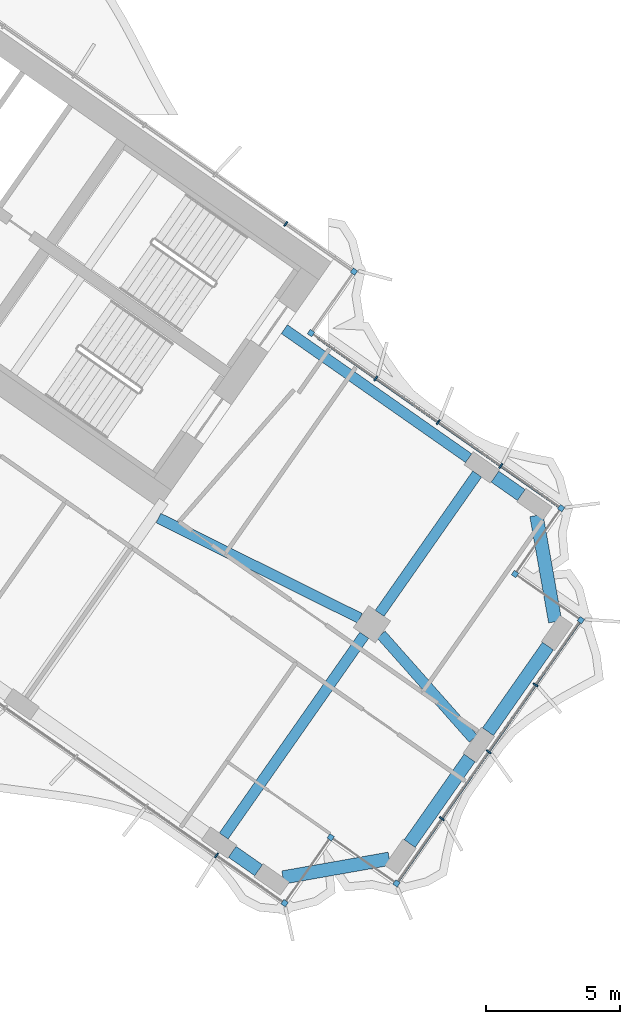
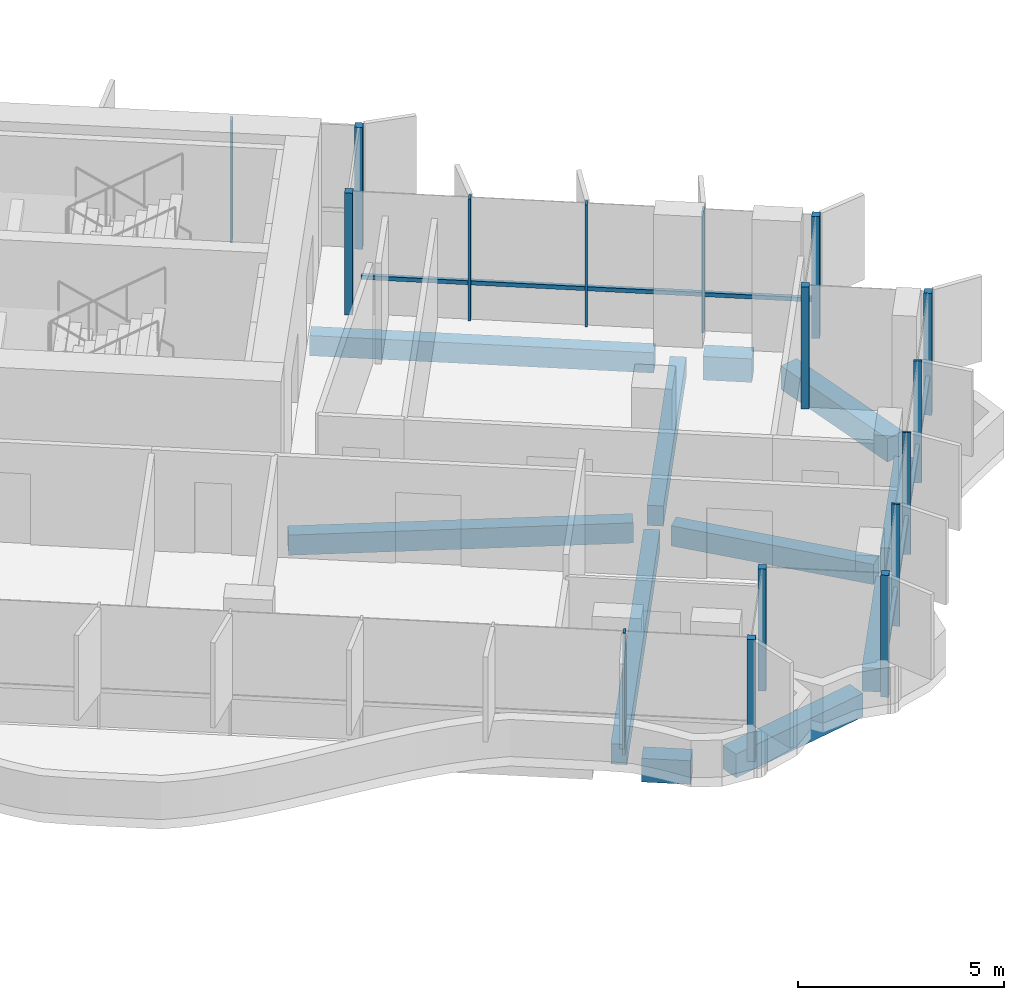
# One storey, part 9 of 21: 18 members, 11 beams, 2 elements without a shape of their own.
"""IFC4 building model written with IfcOpenShell, lengths in metres."""

from ifc_helpers import new_model, si_unit, direction, frame, origin, origin_2d, place, context, subcontext, project, spatial, rectangle, extrude, material, material_profile, profile_set, type_object, element, aggregate, save


model = new_model("IFC4")

# Units and contexts
model_context = context("Model", 3, precision=1e-05, world=origin(), true_north=direction((0.0, 1.0)))
body_context = subcontext(model_context, "Body", "Model", "MODEL_VIEW")
ifc_project = project(units=[si_unit("LENGTHUNIT", "METRE"), si_unit("AREAUNIT", "SQUARE_METRE"), si_unit("VOLUMEUNIT", "CUBIC_METRE"), si_unit("PLANEANGLEUNIT", "RADIAN"), si_unit("MASSUNIT", "GRAM", prefix="KILO")], contexts=[model_context])

# Site, building, storey
site_placement = place(None, origin())
site = spatial("IfcSite", under=ifc_project, at=site_placement, CompositionType="ELEMENT")
building_placement = place(site_placement, origin())
building = spatial("IfcBuilding", under=site, at=building_placement, Name="Tel Ilan Convention Tower", CompositionType="ELEMENT")
storey_placement = place(building_placement, frame((0.0, 0.0, 163.199951171875)))
storey = spatial("IfcBuildingStorey", under=building, at=storey_placement, Name="L37", CompositionType="ELEMENT", Elevation=163.199951171875)

# Beams
ifc_material_1 = material(Name="Concrete C40/50", Category="concrete")
ifc_material_profile_1 = material_profile(ifc_material_1, rectangle(XDim=0.39990234375, YDim=0.60009765625, at=origin_2d()), Name="RC 400x600")
ifc_profile_set_1 = profile_set([ifc_material_profile_1], Name="Concrete C40/50")
beam_type_1 = type_object("IfcBeamType", Name="Beam RC 400x600 Concrete C40/50", PredefinedType="BEAM", material=ifc_profile_set_1)
beam_1_placement = place(storey_placement, frame((33.09912109375, -14.44775390625, -0.579833984375), z_axis=(-0.819147254605, 0.573583276668, 0.0), x_axis=(-0.573583276668, -0.819147254605, 0.0)))
element("IfcBeam", 1, at=beam_1_placement, inside=storey, type_object=beam_type_1, Name="L37 beam E-E-B4-core", PredefinedType="BEAM", context=body_context, shape_type="SweptSolid", body=[
    extrude(rectangle(XDim=0.39990234375, YDim=0.60009765625, at=origin_2d()), origin(), (0.0, 0.0, 1.0), 8.400146484375),
])
beam_2_placement = place(storey_placement, frame((21.52099609375, -16.686279296875, -0.579833984375), z_axis=(0.895402365524, -0.445257907076, 0.0), x_axis=(0.445257907076, 0.895402365524, 0.0)))
element("IfcBeam", 2, at=beam_2_placement, inside=storey, type_object=beam_type_1, Name="L37 beam E-core-E-M4", PredefinedType="BEAM", context=body_context, shape_type="SweptSolid", body=[
    extrude(rectangle(XDim=0.39990234375, YDim=0.60009765625, at=origin_2d()), origin(), (0.0, 0.0, 1.0), 8.3935546875),
])
beam_3_placement = place(storey_placement, frame((29.830322265625, -21.03369140625, -0.579833984375), z_axis=(0.663175252401, -0.748464150512, 0.0), x_axis=(0.748464150512, 0.663175252401, 0.0)))
element("IfcBeam", 3, at=beam_3_placement, inside=storey, type_object=beam_type_1, Name="L37 beam E-E-M4-end", PredefinedType="BEAM", context=body_context, shape_type="SweptSolid", body=[
    extrude(rectangle(XDim=0.39990234375, YDim=0.60009765625, at=origin_2d()), origin(), (0.0, 0.0, 1.0), 5.192626953125),
])
beam_4_placement = place(storey_placement, frame((29.20263671875, -21.058349609375, -0.579833984375), z_axis=(-0.573557249804, -0.819165478519, 0.0), x_axis=(0.819165478519, -0.573557249804, 0.0)))
element("IfcBeam", 4, at=beam_4_placement, inside=storey, type_object=beam_type_1, Name="L37 beam E-E-M4-E-F4", PredefinedType="BEAM", context=body_context, shape_type="SweptSolid", body=[
    extrude(rectangle(XDim=0.39990234375, YDim=0.60009765625, at=origin_2d()), origin(), (0.0, 0.0, 1.0), 9.14990234375),
])
beam_5_placement = place(storey_placement, frame((29.7763671875, -20.2392578125, -0.579833984375), z_axis=(0.573560394383, 0.819163276762, 0.0), x_axis=(-0.819163276762, 0.573560394383, 0.0)))
element("IfcBeam", 5, at=beam_5_placement, inside=storey, type_object=beam_type_1, Name="L37 beam E-E-M4-E-B4", PredefinedType="BEAM", context=body_context, shape_type="SweptSolid", body=[
    extrude(rectangle(XDim=0.39990234375, YDim=0.60009765625, at=origin_2d()), origin(), (0.0, 0.0, 1.0), 6.349853515625),
])
ifc_material_2 = material(Name="Concrete C40/50", Category="concrete")
ifc_material_profile_2 = material_profile(ifc_material_2, rectangle(XDim=0.5, YDim=0.699951171875, at=origin_2d()), Name="RC 500x700")
ifc_profile_set_2 = profile_set([ifc_material_profile_2], Name="Concrete C40/50")
beam_type_2 = type_object("IfcBeamType", Name="Beam RC 500x700 Concrete C40/50", PredefinedType="BEAM", material=ifc_profile_set_2)
beam_6_placement = place(storey_placement, frame((24.27392578125, -29.1435546875, -0.6298828125), z_axis=(0.819155442668, -0.573571582932, 0.0), x_axis=(0.573571582932, 0.819155442668, 0.0)))
element("IfcBeam", 6, at=beam_6_placement, inside=storey, type_object=beam_type_2, Name="L37 beam E-E-F4-E-FC", PredefinedType="BEAM", context=body_context, shape_type="SweptSolid", body=[
    extrude(rectangle(XDim=0.5, YDim=0.699951171875, at=origin_2d()), origin(), (0.0, 0.0, 1.0), 1.199951171875),
])
beam_7_placement = place(storey_placement, frame((26.166259765625, -30.102294921875, -0.6298828125), z_axis=(0.984804894423, 0.173664388751, 0.0), x_axis=(-0.173664388751, 0.984804894423, 0.0)))
element("IfcBeam", 7, at=beam_7_placement, inside=storey, type_object=beam_type_2, Name="L37 beam E-E-FC-E-E1", PredefinedType="BEAM", context=body_context, shape_type="SweptSolid", body=[
    extrude(rectangle(XDim=0.5, YDim=0.699951171875, at=origin_2d()), origin(), (0.0, 0.0, 1.0), 4.030517578125),
])
for number, where, z_axis, x_axis, name in (
    (8, (30.8974609375, -28.837158203125, -0.6298828125), (0.573609383536, 0.819128973434, 0.0), (-0.819128973434, 0.573609383536, 0.0), "L37 beam E-E-E1-E-E2"),
    (9, (33.82275390625, -24.659423828125, -0.6298828125), (0.573567378001, 0.81915838694, 0.0), (-0.81915838694, 0.573567378001, 0.0), "L37 beam E-E-E2-E-E3"),
):
    element("IfcBeam", number, at=place(storey_placement, frame(where, z_axis=z_axis, x_axis=x_axis)), inside=storey, type_object=beam_type_2, Name=name, PredefinedType="BEAM", context=body_context, shape_type="SweptSolid", body=[
        extrude(rectangle(XDim=0.5, YDim=0.699951171875, at=origin_2d()), origin(), (0.0, 0.0, 1.0), 3.89990234375),
    ])
beam_8_placement = place(storey_placement, frame((36.330078125, -20.555419921875, -0.6298828125), z_axis=(-0.173664388751, 0.984804894423, 0.0), x_axis=(-0.984804894423, -0.173664388751, 0.0)))
element("IfcBeam", 10, at=beam_8_placement, inside=storey, type_object=beam_type_2, Name="L37 beam E-E-E3-E-BC", PredefinedType="BEAM", context=body_context, shape_type="SweptSolid", body=[
    extrude(rectangle(XDim=0.5, YDim=0.699951171875, at=origin_2d()), origin(), (0.0, 0.0, 1.0), 4.030517578125),
])
beam_9_placement = place(storey_placement, frame((35.06494140625, -15.82421875, -0.6298828125), z_axis=(-0.819155442668, 0.573571582932, 0.0), x_axis=(-0.573571582932, -0.819155442668, 0.0)))
element("IfcBeam", 11, at=beam_9_placement, inside=storey, type_object=beam_type_2, Name="L37 beam E-E-BC-E-B4", PredefinedType="BEAM", context=body_context, shape_type="SweptSolid", body=[
    extrude(rectangle(XDim=0.5, YDim=0.699951171875, at=origin_2d()), origin(), (0.0, 0.0, 1.0), 1.199951171875),
])

# Curtain wall, members
ifc_material_3 = material(Name="Aluminium, bronze anodised", Category="aluminium")
curtain_wall_type_1 = type_object("IfcCurtainWallType", Name="CW2 STICK CURTAIN WALL, SPANDREL PANELS", PredefinedType="NOTDEFINED", material=ifc_material_3)
curtain_wall_1_placement = place(storey_placement, origin())
curtain_wall_1 = element("IfcCurtainWall", 12, at=curtain_wall_1_placement, inside=storey, type_object=curtain_wall_type_1, Name="Curtain wall CW2-29.01", PredefinedType="NOTDEFINED")
ifc_material_4 = material(Name="Aluminium, bronze anodised", Category="aluminium")
ifc_material_profile_3 = material_profile(ifc_material_4, rectangle(XDim=0.199951171875, YDim=0.199951171875, at=origin_2d()), Name="CW CORNER MULLION 200x200")
ifc_profile_set_3 = profile_set([ifc_material_profile_3], Name="Aluminium, bronze anodised")
member_type_1 = type_object("IfcMemberType", Name="CW CORNER MULLION 200x200", PredefinedType="MULLION", material=ifc_profile_set_3)
member_1_placement = place(storey_placement, frame((27.213623046875, -9.77734375, 0.0), z_axis=(0.0, 0.0, 1.0), x_axis=(-0.819152044289, 0.573576436351, 0.0)))
member_1 = element("IfcMember", 13, at=member_1_placement, type_object=member_type_1, Name="Corner mullion", PredefinedType="MULLION", context=body_context, shape_type="SweptSolid", body=[
    extrude(rectangle(XDim=0.199951171875, YDim=0.199951171875, at=origin_2d()), origin(), (0.0, 0.0, 1.0), 3.6201171875),
])
member_2_placement = place(storey_placement, frame((28.819580078125, -7.483642578125, 0.0), z_axis=(0.0, 0.0, 1.0), x_axis=(0.573576436351, 0.819152044289, 0.0)))
member_2 = element("IfcMember", 14, at=member_2_placement, type_object=member_type_1, Name="Corner mullion", PredefinedType="MULLION", context=body_context, shape_type="SweptSolid", body=[
    extrude(rectangle(XDim=0.199951171875, YDim=0.199951171875, at=origin_2d()), origin(), (0.0, 0.0, 1.0), 3.6201171875),
])

ifc_material_5 = material(Name="Aluminium, bronze anodised", Category="aluminium")
curtain_wall_type_2 = type_object("IfcCurtainWallType", Name="CW4 STICK CURTAIN WALL, OFFICE TINTED GLASS", PredefinedType="NOTDEFINED", material=ifc_material_5)
curtain_wall_2_placement = place(storey_placement, origin())
curtain_wall_2 = element("IfcCurtainWall", 15, at=curtain_wall_2_placement, inside=storey, type_object=curtain_wall_type_2, Name="Curtain wall CW4-29.02", PredefinedType="NOTDEFINED")
member_3_placement = place(storey_placement, frame((26.2275390625, -31.060791015625, 0.0), z_axis=(0.0, 0.0, 1.0), x_axis=(0.819152044289, -0.573576436351, 0.0)))
member_3 = element("IfcMember", 16, at=member_3_placement, type_object=member_type_1, Name="Corner mullion", PredefinedType="MULLION", context=body_context, shape_type="SweptSolid", body=[
    extrude(rectangle(XDim=0.199951171875, YDim=0.199951171875, at=origin_2d()), origin(), (0.0, 0.0, 1.0), 3.6201171875),
])
member_4_placement = place(storey_placement, frame((27.9482421875, -28.603271484375, 0.0), z_axis=(0.0, 0.0, 1.0), x_axis=(0.573576436351, 0.819152044289, 0.0)))
member_4 = element("IfcMember", 17, at=member_4_placement, type_object=member_type_1, Name="Corner mullion", PredefinedType="MULLION", context=body_context, shape_type="SweptSolid", body=[
    extrude(rectangle(XDim=0.199951171875, YDim=0.199951171875, at=origin_2d()), origin(), (0.0, 0.0, 1.0), 3.6201171875),
])
member_5_placement = place(storey_placement, frame((30.40576171875, -30.323974609375, 0.0), z_axis=(0.0, 0.0, 1.0), x_axis=(0.819152044289, -0.573576436351, 0.0)))
member_5 = element("IfcMember", 18, at=member_5_placement, type_object=member_type_1, Name="Corner mullion", PredefinedType="MULLION", context=body_context, shape_type="SweptSolid", body=[
    extrude(rectangle(XDim=0.199951171875, YDim=0.199951171875, at=origin_2d()), origin(), (0.0, 0.0, 1.0), 3.6201171875),
])
member_6_placement = place(storey_placement, frame((37.28857421875, -20.494140625, 0.0), z_axis=(0.0, 0.0, 1.0), x_axis=(0.573576436351, 0.819152044289, 0.0)))
member_6 = element("IfcMember", 19, at=member_6_placement, type_object=member_type_1, Name="Corner mullion", PredefinedType="MULLION", context=body_context, shape_type="SweptSolid", body=[
    extrude(rectangle(XDim=0.199951171875, YDim=0.199951171875, at=origin_2d()), origin(), (0.0, 0.0, 1.0), 3.6201171875),
])
member_7_placement = place(storey_placement, frame((34.8310546875, -18.7734375, 0.0), z_axis=(0.0, 0.0, 1.0), x_axis=(-0.819152044289, 0.573576436351, 0.0)))
member_7 = element("IfcMember", 20, at=member_7_placement, type_object=member_type_1, Name="Corner mullion", PredefinedType="MULLION", context=body_context, shape_type="SweptSolid", body=[
    extrude(rectangle(XDim=0.199951171875, YDim=0.199951171875, at=origin_2d()), origin(), (0.0, 0.0, 1.0), 3.6201171875),
])
member_8_placement = place(storey_placement, frame((36.5517578125, -16.31591796875, 0.0), z_axis=(0.0, 0.0, 1.0), x_axis=(0.573576436351, 0.819152044289, 0.0)))
member_8 = element("IfcMember", 21, at=member_8_placement, type_object=member_type_1, Name="Corner mullion", PredefinedType="MULLION", context=body_context, shape_type="SweptSolid", body=[
    extrude(rectangle(XDim=0.199951171875, YDim=0.199951171875, at=origin_2d()), origin(), (0.0, 0.0, 1.0), 3.6201171875),
])

# Member
ifc_material_6 = material(Name="Aluminium, bronze anodised", Category="aluminium")
ifc_material_profile_4 = material_profile(ifc_material_6, rectangle(XDim=0.06005859375, YDim=0.199951171875, at=origin_2d()), Name="CW MULLION 60x200")
ifc_profile_set_4 = profile_set([ifc_material_profile_4], Name="Aluminium, bronze anodised")
member_type_2 = type_object("IfcMemberType", Name="CW MULLION 60x200", PredefinedType="MULLION", material=ifc_profile_set_4)
member_9_placement = place(storey_placement, frame((26.268798828125, -5.697509765625, 0.0), z_axis=(0.0, 0.0, 1.0), x_axis=(-0.819152044289, 0.573576436351, 0.0)))
member_9 = element("IfcMember", 22, at=member_9_placement, type_object=member_type_2, Name="Mullion", PredefinedType="MULLION", context=body_context, shape_type="SweptSolid", body=[
    extrude(rectangle(XDim=0.06005859375, YDim=0.199951171875, at=origin_2d()), origin(), (0.0, 0.0, 1.0), 3.6201171875),
])

aggregate(curtain_wall_1, [member_1, member_2, member_9])

member_10_placement = place(storey_placement, frame((23.68408203125, -29.27978515625, 0.0), z_axis=(0.0, 0.0, 1.0), x_axis=(0.819152044289, -0.573576436351, 0.0)))
member_10 = element("IfcMember", 23, at=member_10_placement, type_object=member_type_2, Name="Mullion", PredefinedType="MULLION", context=body_context, shape_type="SweptSolid", body=[
    extrude(rectangle(XDim=0.06005859375, YDim=0.199951171875, at=origin_2d()), origin(), (0.0, 0.0, 1.0), 3.6201171875),
])

member_11_placement = place(storey_placement, frame((32.09765625, -27.907470703125, 0.0), z_axis=(0.0, 0.0, 1.0), x_axis=(0.573576436351, 0.819152044289, 0.0)))
member_11 = element("IfcMember", 24, at=member_11_placement, type_object=member_type_2, Name="Mullion", PredefinedType="MULLION", context=body_context, shape_type="SweptSolid", body=[
    extrude(rectangle(XDim=0.06005859375, YDim=0.199951171875, at=origin_2d()), origin(), (0.0, 0.0, 1.0), 3.6201171875),
])

member_12_placement = place(storey_placement, frame((33.84716796875, -25.4091796875, 0.0), z_axis=(0.0, 0.0, 1.0), x_axis=(0.573576436351, 0.819152044289, 0.0)))
member_12 = element("IfcMember", 25, at=member_12_placement, type_object=member_type_2, Name="Mullion", PredefinedType="MULLION", context=body_context, shape_type="SweptSolid", body=[
    extrude(rectangle(XDim=0.06005859375, YDim=0.199951171875, at=origin_2d()), origin(), (0.0, 0.0, 1.0), 3.6201171875),
])

member_13_placement = place(storey_placement, frame((35.596435546875, -22.91064453125, 0.0), z_axis=(0.0, 0.0, 1.0), x_axis=(0.573576436351, 0.819152044289, 0.0)))
member_13 = element("IfcMember", 26, at=member_13_placement, type_object=member_type_2, Name="Mullion", PredefinedType="MULLION", context=body_context, shape_type="SweptSolid", body=[
    extrude(rectangle(XDim=0.06005859375, YDim=0.199951171875, at=origin_2d()), origin(), (0.0, 0.0, 1.0), 3.6201171875),
])

member_14_placement = place(storey_placement, frame((34.299072265625, -14.73876953125, 0.0), z_axis=(0.0, 0.0, 1.0), x_axis=(-0.819152044289, 0.573576436351, 0.0)))
member_14 = element("IfcMember", 27, at=member_14_placement, type_object=member_type_2, Name="Mullion", PredefinedType="MULLION", context=body_context, shape_type="SweptSolid", body=[
    extrude(rectangle(XDim=0.06005859375, YDim=0.199951171875, at=origin_2d()), origin(), (0.0, 0.0, 1.0), 3.6201171875),
])

member_15_placement = place(storey_placement, frame((31.964599609375, -13.10400390625, 0.0), z_axis=(0.0, 0.0, 1.0), x_axis=(-0.819152044289, 0.573576436351, 0.0)))
member_15 = element("IfcMember", 28, at=member_15_placement, type_object=member_type_2, Name="Mullion", PredefinedType="MULLION", context=body_context, shape_type="SweptSolid", body=[
    extrude(rectangle(XDim=0.06005859375, YDim=0.199951171875, at=origin_2d()), origin(), (0.0, 0.0, 1.0), 3.6201171875),
])

member_16_placement = place(storey_placement, frame((29.630126953125, -11.46923828125, 0.0), z_axis=(0.0, 0.0, 1.0), x_axis=(-0.819152044289, 0.573576436351, 0.0)))
member_16 = element("IfcMember", 29, at=member_16_placement, type_object=member_type_2, Name="Mullion", PredefinedType="MULLION", context=body_context, shape_type="SweptSolid", body=[
    extrude(rectangle(XDim=0.06005859375, YDim=0.199951171875, at=origin_2d()), origin(), (0.0, 0.0, 1.0), 3.6201171875),
])

ifc_material_7 = material(Name="Aluminium, bronze anodised", Category="aluminium")
ifc_material_profile_5 = material_profile(ifc_material_7, rectangle(XDim=0.10009765625, YDim=0.1201171875, at=origin_2d()), Name="CW TRANSOM 100x120")
ifc_profile_set_5 = profile_set([ifc_material_profile_5], Name="Aluminium, bronze anodised")
member_type_3 = type_object("IfcMemberType", Name="CW TRANSOM 100x120", PredefinedType="USERDEFINED", material=ifc_profile_set_5)
member_17_placement = place(storey_placement, frame((30.463134765625, -30.2421875, 1.10009765625), z_axis=(0.573567872435, 0.819158040741, 0.0), x_axis=(-0.819158040741, 0.573567872435, 0.0)))
member_17 = element("IfcMember", 30, at=member_17_placement, type_object=member_type_3, Name="Transom", ObjectType="TRANSOM", PredefinedType="USERDEFINED", context=body_context, shape_type="SweptSolid", body=[
    extrude(rectangle(XDim=0.10009765625, YDim=0.1201171875, at=origin_2d()), origin(), (0.0, 0.0, 1.0), 11.800048828125),
])

member_18_placement = place(storey_placement, frame((36.469970703125, -16.258544921875, 1.10009765625), z_axis=(-0.819154753687, 0.57357256691, 0.0), x_axis=(-0.57357256691, -0.819154753687, 0.0)))
member_18 = element("IfcMember", 31, at=member_18_placement, type_object=member_type_3, Name="Transom", ObjectType="TRANSOM", PredefinedType="USERDEFINED", context=body_context, shape_type="SweptSolid", body=[
    extrude(rectangle(XDim=0.10009765625, YDim=0.1201171875, at=origin_2d()), origin(), (0.0, 0.0, 1.0), 11.0),
])

aggregate(curtain_wall_2, [member_10, member_3, member_4, member_5, member_11, member_12, member_13, member_6, member_17, member_7, member_8, member_14, member_15, member_16, member_18])

save(model, "model.ifc")
